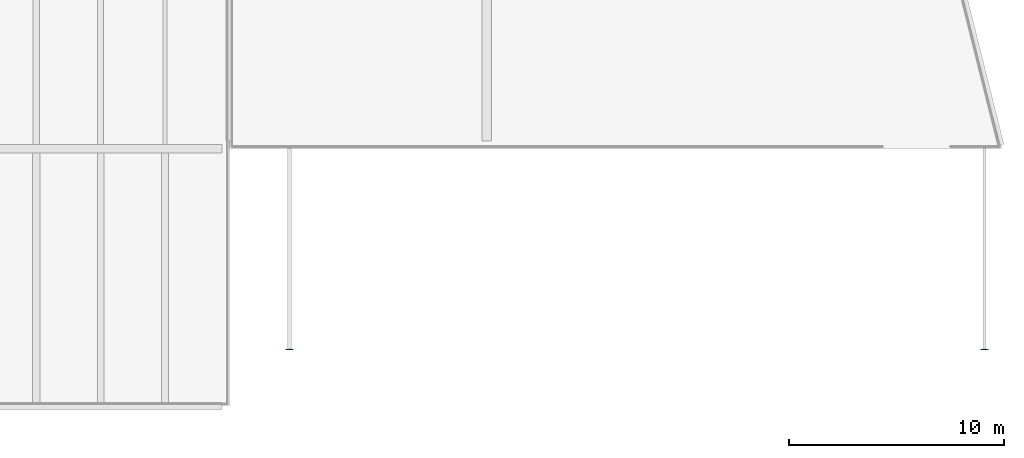
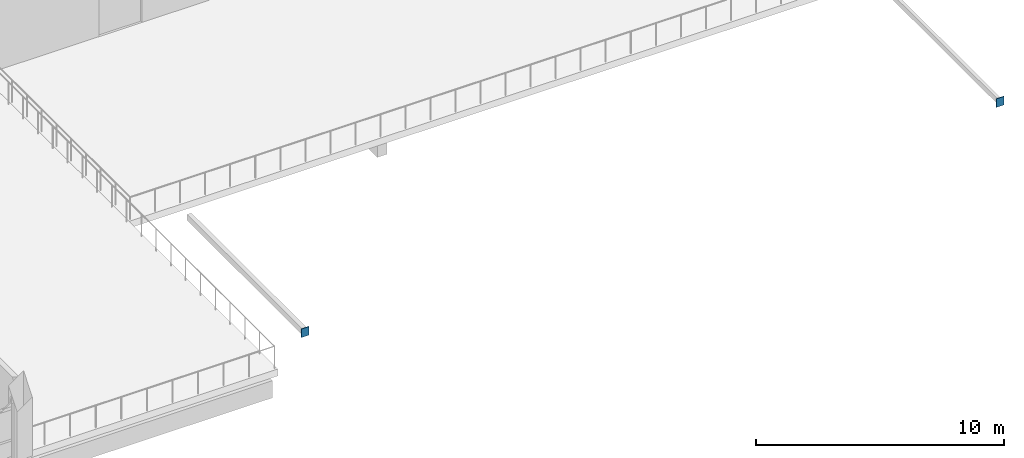
# One storey, part 36 of 49: 2 plates.
"""IFC4 building model written with IfcOpenShell, lengths in metres."""

import ifcopenshell
import ifcopenshell.guid

model = None  # the IFC model being written
_history = None  # IfcOwnerHistory: only IFC2X3 demands one
_inside = {}  # id of a spatial element -> (the spatial element, [elements in it])
_under = {}  # id of a project, library or spatial element -> (it, [spatial elements below it])
_declared = {}  # id of a project -> (the project, [libraries it declares])
_typed = {}  # id of a type object -> (the type object, [elements of that type])
_made_of = {}  # id of a material, layer set ... -> (it, [elements and type objects made of it])


def new_model(schema):
    """Start an empty IFC model of exactly this schema.

    Asked for "IFC4X3", IfcOpenShell would pick the latest addendum, in which some entities
    have other attributes; the version numbers below select the first issue.
    IFC2X3 requires an IfcOwnerHistory on every rooted entity: one is made here for all.
    """
    global model, _history
    if schema == "IFC4X3":
        model = ifcopenshell.file(schema_version=(4, 3, 0, 0))
    else:
        model = ifcopenshell.file(schema=schema)
    _inside.clear()
    _under.clear()
    _declared.clear()
    _typed.clear()
    _made_of.clear()
    _history = None
    if model.schema == "IFC2X3":
        org = make("IfcOrganization", Name="unknown")
        user = make(
            "IfcPersonAndOrganization",
            ThePerson=make("IfcPerson", FamilyName="unknown"),
            TheOrganization=org,
        )
        app = make(
            "IfcApplication",
            ApplicationDeveloper=org,
            Version="unknown",
            ApplicationFullName="unknown",
            ApplicationIdentifier="unknown",
        )
        _history = make(
            "IfcOwnerHistory",
            OwningUser=user,
            OwningApplication=app,
            ChangeAction="ADDED",
            CreationDate=0,
        )
    return model


def make(cls, **values):
    """One entity of the class cls with the attributes given. An attribute that is None is left unset."""
    return model.create_entity(
        cls, **{name: value for name, value in values.items() if value is not None}
    )


def rooted(cls, **values):
    """An entity with a GlobalId (a new one), such as an element, a storey or a relation."""
    return make(cls, GlobalId=ifcopenshell.guid.new(), OwnerHistory=_history, **values)


def si_unit(unit_type, name, prefix=None):
    """IfcSIUnit, for example si_unit("LENGTHUNIT", "METRE", prefix="MILLI")."""
    return make("IfcSIUnit", UnitType=unit_type, Prefix=prefix, Name=name)


def assignment(units):
    """IfcUnitAssignment: the units of a project."""
    return None if units is None else make("IfcUnitAssignment", Units=units)


def point(xyz):
    """IfcCartesianPoint."""
    return None if xyz is None else make("IfcCartesianPoint", Coordinates=xyz)


def direction(xyz):
    """IfcDirection."""
    return None if xyz is None else make("IfcDirection", DirectionRatios=xyz)


def frame(location, z_axis=None, x_axis=None):
    """IfcAxis2Placement3D, a coordinate frame: its origin and axes. An axis left out is left unset."""
    return make(
        "IfcAxis2Placement3D",
        Location=point(location),
        Axis=direction(z_axis),
        RefDirection=direction(x_axis),
    )


def frame_2d(location, x_axis=None):
    """IfcAxis2Placement2D, a coordinate frame in the plane: its origin and x axis."""
    return make(
        "IfcAxis2Placement2D", Location=point(location), RefDirection=direction(x_axis)
    )


def origin():
    """The frame at (0, 0, 0) with its axes left unset."""
    return frame((0.0, 0.0, 0.0))


def origin_2d():
    """The frame at (0, 0) in the plane with its x axis left unset."""
    return frame_2d((0.0, 0.0))


def place(relative_to, where):
    """IfcLocalPlacement: puts the frame where relative to a parent placement (None: the world)."""
    return make(
        "IfcLocalPlacement", PlacementRelTo=relative_to, RelativePlacement=where
    )


def context(
    kind, dimensions, precision=None, world=None, true_north=None, identifier=None
):
    """IfcGeometricRepresentationContext, for example the 3D "Model" context."""
    return make(
        "IfcGeometricRepresentationContext",
        ContextIdentifier=identifier,
        ContextType=kind,
        CoordinateSpaceDimension=dimensions,
        Precision=precision,
        WorldCoordinateSystem=world,
        TrueNorth=true_north,
    )


def subcontext(parent, identifier, kind, view, scale=None):
    """IfcGeometricRepresentationSubContext, for example "Body" below "Model"."""
    return make(
        "IfcGeometricRepresentationSubContext",
        ContextIdentifier=identifier,
        ContextType=kind,
        ParentContext=parent,
        TargetScale=scale,
        TargetView=view,
    )


def project(units=None, contexts=None):
    """IfcProject with its units and contexts."""
    return rooted(
        "IfcProject",
        Name="project",
        RepresentationContexts=contexts,
        UnitsInContext=assignment(units),
    )


def spatial(cls, under=None, at=None, **own):
    """A site, building, storey or space (cls), placed at a placement, below another one or the project."""
    s = rooted(cls, ObjectPlacement=at, **own)
    if under is not None:
        _under.setdefault(under.id(), (under, []))[1].append(s)
    return s


def profile(cls, at=None, kind="AREA", **sizes):
    """A parametric profile (cls). Its sizes go by their IFC names, for example OverallWidth=200.0."""
    return make(cls, ProfileType=kind, Position=at, **sizes)


def rectangle(**sizes):
    """IfcRectangleProfileDef."""
    return profile("IfcRectangleProfileDef", **sizes)


def extrude(swept, where, along, depth):
    """IfcExtrudedAreaSolid: the profile swept, set in the frame where, extruded along a direction by depth."""
    return make(
        "IfcExtrudedAreaSolid",
        SweptArea=swept,
        Position=where,
        ExtrudedDirection=direction(along),
        Depth=depth,
    )


def shape(context_of_items, identifier, shape_type, items):
    """IfcShapeRepresentation: the items that make up one representation, for example the "Body"."""
    return make(
        "IfcShapeRepresentation",
        ContextOfItems=context_of_items,
        RepresentationIdentifier=identifier,
        RepresentationType=shape_type,
        Items=items,
    )


def material(Name=None, Category=None):
    """IfcMaterial."""
    return make("IfcMaterial", Name=Name, Category=Category)


def layer(
    of_material, thickness, ventilated=None, Name=None, Category=None, Priority=None
):
    """IfcMaterialLayer: one layer of a wall or slab, of a material (None: an air gap)."""
    return make(
        "IfcMaterialLayer",
        Material=of_material,
        LayerThickness=thickness,
        IsVentilated=ventilated,
        Name=Name,
        Category=Category,
        Priority=Priority,
    )


def layer_set(layers, Name=None):
    """IfcMaterialLayerSet."""
    return make("IfcMaterialLayerSet", MaterialLayers=layers, LayerSetName=Name)


def made_of(thing, what):
    """Note that an element or type object is made of a material, layer set ...; save() writes the relation."""
    if what is not None:
        _made_of.setdefault(what.id(), (what, []))[1].append(thing)
    return thing


def type_object(cls, material=None, **own):
    """A type object (cls), such as IfcWallType, which elements share."""
    return made_of(rooted(cls, **own), material)


def element(
    cls,
    number,
    at=None,
    inside=None,
    cuts=None,
    type_object=None,
    material=None,
    context=None,
    identifier="Body",
    shape_type=None,
    held_by="IfcProductDefinitionShape",
    body=None,
    shapes=None,
    **own,
):
    """One element of the class cls, such as IfcWall. Its Tag is "e" and its number.

    at: its placement. inside: the storey or other place that contains it. cuts: it is an
    opening in that element (IfcRelVoidsElement). A single representation is given by context,
    identifier, shape_type and body (its items); several are given by shapes. held_by: the class
    of the entity that holds the representations. save() writes the other relations.
    """
    e = rooted(cls, Tag="e%d" % number, ObjectPlacement=at, **own)
    if body is not None:
        shapes = [shape(context, identifier, shape_type, body)]
    if shapes is not None:
        e.Representation = make(held_by, Representations=shapes)
    if inside is not None:
        _inside.setdefault(inside.id(), (inside, []))[1].append(e)
    if cuts is not None:
        rooted(
            "IfcRelVoidsElement", RelatingBuildingElement=cuts, RelatedOpeningElement=e
        )
    if type_object is not None:
        _typed.setdefault(type_object.id(), (type_object, []))[1].append(e)
    return made_of(e, material)


def aggregate(whole, parts):
    """IfcRelAggregates: a whole, such as a stair, and the parts it consists of."""
    return rooted("IfcRelAggregates", RelatingObject=whole, RelatedObjects=parts)


def save(model, path):
    """Write the relations noted so far, then the file.

    IfcRelAggregates (storeys below a building ...), IfcRelContainedInSpatialStructure (elements
    in a storey), IfcRelDefinesByType, IfcRelAssociatesMaterial and IfcRelDeclares: one each for
    every whole, place, type object, material and project.
    """
    for whole, parts in _under.values():
        aggregate(whole, parts)
    for where, things in _inside.values():
        rooted(
            "IfcRelContainedInSpatialStructure",
            RelatedElements=things,
            RelatingStructure=where,
        )
    for kind, things in _typed.values():
        rooted("IfcRelDefinesByType", RelatedObjects=things, RelatingType=kind)
    for what, things in _made_of.values():
        rooted("IfcRelAssociatesMaterial", RelatedObjects=things, RelatingMaterial=what)
    for by, libraries in _declared.values():
        rooted("IfcRelDeclares", RelatingContext=by, RelatedDefinitions=libraries)
    model.write(path)


model = new_model("IFC4")

# Units and contexts
model_context = context("Model", 3, precision=1e-05, world=origin(), true_north=direction((0.0, 1.0)))
body_context = subcontext(model_context, "Body", "Model", "MODEL_VIEW")
ifc_project = project(units=[si_unit("LENGTHUNIT", "METRE"), si_unit("AREAUNIT", "SQUARE_METRE"), si_unit("VOLUMEUNIT", "CUBIC_METRE"), si_unit("PLANEANGLEUNIT", "RADIAN"), si_unit("MASSUNIT", "GRAM", prefix="KILO")], contexts=[model_context])

# Site, building, storey
site_placement = place(None, origin())
site = spatial("IfcSite", under=ifc_project, at=site_placement, CompositionType="ELEMENT")
building_placement = place(site_placement, origin())
building = spatial("IfcBuilding", under=site, at=building_placement, Name="Kamomehara Wholesale Market", CompositionType="ELEMENT")
storey_placement = place(building_placement, frame((0.0, 0.0, 11.39990234375)))
storey = spatial("IfcBuildingStorey", under=building, at=storey_placement, Name="L02", CompositionType="ELEMENT", Elevation=11.39990234375)

# Plates
ifc_material = material(Name="Steel SN490B", Category="steel")
ifc_layer = layer(ifc_material, 0.02490234375)
ifc_layer_set = layer_set([ifc_layer], Name="Steel SN490B")
plate_type = type_object("IfcPlateType", Name="PLT-GUS-25", PredefinedType="USERDEFINED", material=ifc_layer_set)
for number, where, z_axis, x_axis, name in (
    (1, (170.800048828125, 14.636962890625, -0.9599609375), (0.0, 0.0, 1.0), (1.0, 0.0, 0.0), "Blade wall cast-in embed plate L02 1"),
    (2, (203.199951171875, 14.636962890625, -0.9599609375), (0.0, 0.0, 1.0), (1.0, 0.0, 0.0), "Blade wall cast-in embed plate L02 2"),
):
    element("IfcPlate", number, at=place(storey_placement, frame(where, z_axis=z_axis, x_axis=x_axis)), inside=storey, type_object=plate_type, Name=name, ObjectType="GUSSET PLATE", PredefinedType="USERDEFINED", context=body_context, shape_type="SweptSolid", body=[
        extrude(rectangle(XDim=0.360107421875, YDim=0.02490234375, at=origin_2d()), origin(), (0.0, 0.0, 1.0), 0.419921875),
    ])

save(model, "model.ifc")
